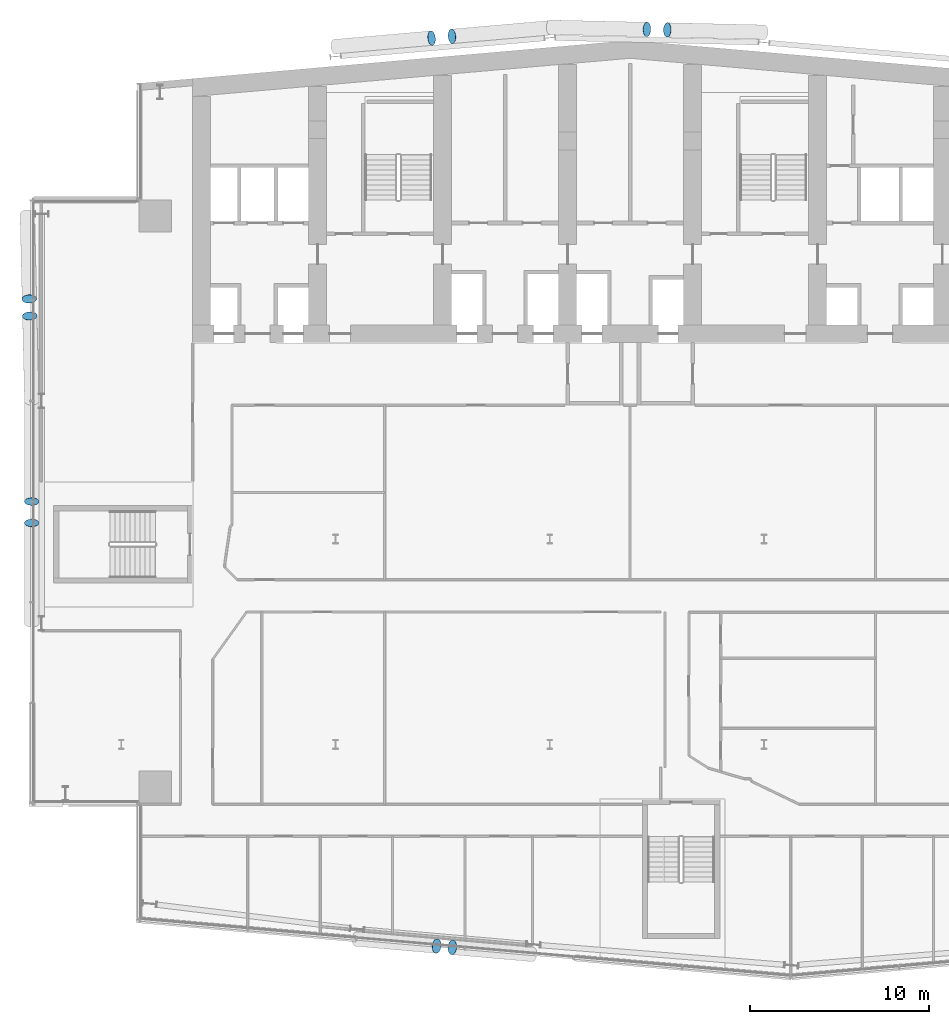
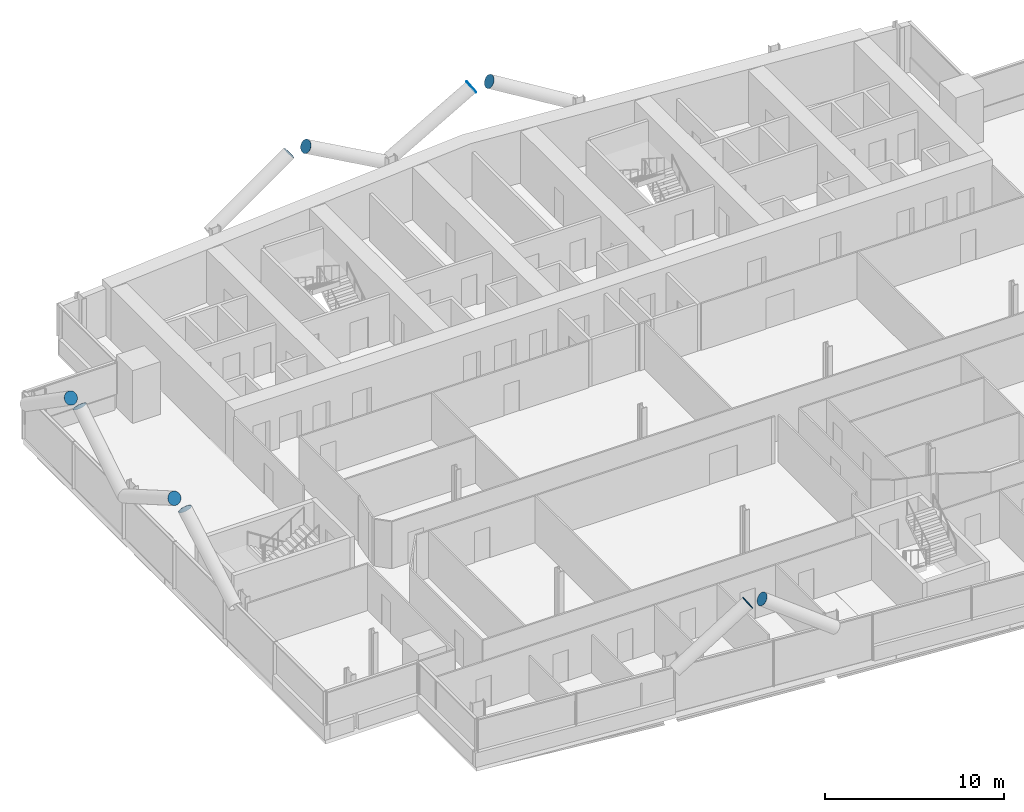
# One storey, part 22 of 27: 10 discrete accessories.
"""IFC4 building model written with IfcOpenShell, lengths in metres."""

from ifc_helpers import new_model, si_unit, direction, frame, origin, origin_2d, place, context, subcontext, project, spatial, circle, extrude, material, material_profile, profile_set, type_object, element, save


model = new_model("IFC4")

# Units and contexts
model_context = context("Model", 3, precision=1e-05, world=origin(), true_north=direction((0.0, 1.0)))
body_context = subcontext(model_context, "Body", "Model", "MODEL_VIEW")
ifc_project = project(units=[si_unit("LENGTHUNIT", "METRE"), si_unit("AREAUNIT", "SQUARE_METRE"), si_unit("VOLUMEUNIT", "CUBIC_METRE"), si_unit("PLANEANGLEUNIT", "RADIAN"), si_unit("MASSUNIT", "GRAM", prefix="KILO")], contexts=[model_context])

# Site, building, storey
site_placement = place(None, origin())
site = spatial("IfcSite", under=ifc_project, at=site_placement, CompositionType="ELEMENT")
building_placement = place(site_placement, origin())
building = spatial("IfcBuilding", under=site, at=building_placement, Name="Wharfspan Tower", CompositionType="ELEMENT")
storey_placement = place(building_placement, frame((0.0, 0.0, 136.300049)))
storey = spatial("IfcBuildingStorey", under=building, at=storey_placement, Name="L32", CompositionType="ELEMENT", Elevation=136.300049)

# Discrete accessories
ifc_material = material(Name="Steel S460NH", Category="steel")
ifc_material_profile = material_profile(ifc_material, circle(Radius=0.406494, at=origin_2d()))
ifc_profile_set = profile_set([ifc_material_profile], Name="Steel S460NH")
discrete_accessory_type = type_object("IfcDiscreteAccessoryType", Name="End plate CHS 813x40", PredefinedType="BRACKET", material=ifc_profile_set)
for number, where, z_axis, x_axis, name in (
    (1, (29.654785, 0.202881, 6.173096), (0.806559, -0.073324, 0.586588), (0.090536, 0.99589, 0.0), "End plate CHS 813x40"),
    (2, (30.551514, 0.124512, 6.173096), (-0.806559, 0.073324, 0.586588), (-0.090536, -0.99589, 0.0), "End plate CHS 813x40"),
    (3, (6.985107, 25.105957, 6.149902), (0.0, -0.857493, 0.514496), (1.0, 0.0, 0.0), "End plate CHS 813x40"),
    (4, (6.985107, 23.894043, 6.149902), (0.0, 0.857493, 0.514496), (-1.0, 0.0, 0.0), "End plate CHS 813x40"),
):
    element("IfcDiscreteAccessory", number, at=place(storey_placement, frame(where, z_axis=z_axis, x_axis=x_axis)), inside=storey, type_object=discrete_accessory_type, Name=name, PredefinedType="BRACKET", context=body_context, shape_type="SweptSolid", body=[
        extrude(circle(Radius=0.406494, at=origin_2d()), origin(), (0.0, 0.0, 1.0), 0.01001),
    ])
discrete_accessory_placement = place(storey_placement, frame((6.8479, 36.455078, 6.166992), z_axis=(0.024853, -0.820145, 0.571616), x_axis=(0.999542, 0.03029, 1e-06)))
element("IfcDiscreteAccessory", 5, at=discrete_accessory_placement, inside=storey, type_object=discrete_accessory_type, Name="End plate CHS 813x40", PredefinedType="BRACKET", context=body_context, shape_type="SweptSolid", body=[
    extrude(circle(Radius=0.406494, at=origin_2d()), origin(), (0.0, 0.0, 1.0), 0.009766),
])
for number, where, z_axis, x_axis, name in (
    (6, (6.871094, 35.486084, 6.166992), (-0.024354, 0.828038, 0.560143), (-0.999568, -0.029399, 0.0), "End plate CHS 813x40"),
    (7, (41.435059, 51.541504, 6.15332), (0.857236, -0.024492, 0.514341), (0.028558, 0.999591, 2e-06), "End plate CHS 813x40"),
    (8, (42.590332, 51.514893, 6.15332), (-0.857236, 0.024492, 0.514341), (-0.028558, -0.999591, 2e-06), "End plate CHS 813x40"),
    (9, (29.373291, 51.05542, 6.153076), (0.853405, 0.097532, 0.512043), (-0.113547, 0.993531, 1e-06), "End plate CHS 813x40"),
    (10, (30.529785, 51.156738, 6.153076), (-0.855186, -0.073302, 0.513112), (0.085402, -0.996345, 1e-06), "End plate CHS 813x40"),
):
    element("IfcDiscreteAccessory", number, at=place(storey_placement, frame(where, z_axis=z_axis, x_axis=x_axis)), inside=storey, type_object=discrete_accessory_type, Name=name, PredefinedType="BRACKET", context=body_context, shape_type="SweptSolid", body=[
        extrude(circle(Radius=0.406494, at=origin_2d()), origin(), (0.0, 0.0, 1.0), 0.01001),
    ])

save(model, "model.ifc")
